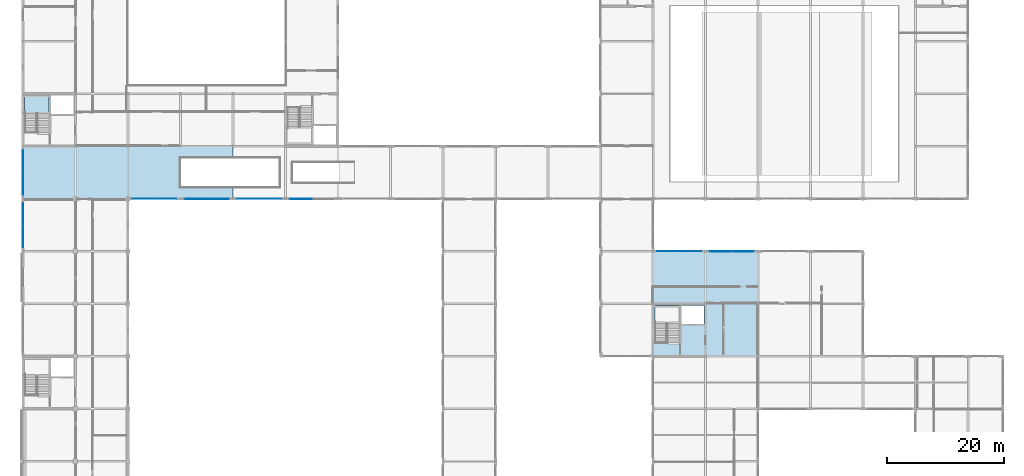
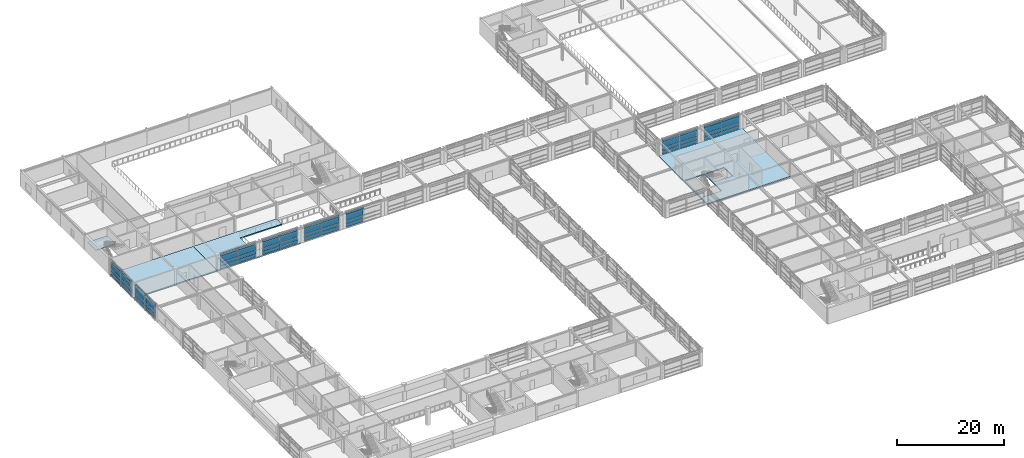
# One storey, part 54 of 79: 60 plates, 4 slabs, 8 elements without a shape of their own.
"""IFC4 building model written with IfcOpenShell, lengths in metres."""

from ifc_helpers import new_model, si_unit, direction, frame, origin, origin_2d, place, context, subcontext, project, spatial, polyline, rectangle, outline, extrude, material, layer, layer_set, type_object, element, aggregate, save


model = new_model("IFC4")

# Units and contexts
model_context = context("Model", 3, precision=1e-05, world=origin(), true_north=direction((0.0, 1.0)))
body_context = subcontext(model_context, "Body", "Model", "MODEL_VIEW")
ifc_project = project(units=[si_unit("LENGTHUNIT", "METRE"), si_unit("AREAUNIT", "SQUARE_METRE"), si_unit("VOLUMEUNIT", "CUBIC_METRE"), si_unit("PLANEANGLEUNIT", "RADIAN"), si_unit("MASSUNIT", "GRAM", prefix="KILO")], contexts=[model_context])

# Site, building, storey
site_placement = place(None, origin())
site = spatial("IfcSite", under=ifc_project, at=site_placement, CompositionType="ELEMENT")
building_placement = place(site_placement, origin())
building = spatial("IfcBuilding", under=site, at=building_placement, Name="Palais des Congres Ocreval", CompositionType="ELEMENT")
storey_placement = place(building_placement, frame((0.0, 0.0, 4.320068359375)))
storey = spatial("IfcBuildingStorey", under=building, at=storey_placement, Name="L01", CompositionType="ELEMENT", Elevation=4.320068359375)

# Curtain wall, plates
ifc_material_1 = material(Name="Anodized bronze aluminium and low-E glass", Category="glass")
curtain_wall_type = type_object("IfcCurtainWallType", Name="Unitised Curtain Wall 7900x3660", PredefinedType="USERDEFINED", material=ifc_material_1)
curtain_wall_1_placement = place(storey_placement, origin())
curtain_wall_1 = element("IfcCurtainWall", 1, at=curtain_wall_1_placement, inside=storey, type_object=curtain_wall_type, Name="Unitised Curtain Wall CW02 L01", ObjectType="UNITISED CURTAIN WALL", PredefinedType="USERDEFINED")
ifc_material_2 = material(Name="Acoustic triple glazing", Category="glass")
ifc_layer_1 = layer(ifc_material_2, 0.0439453125)
ifc_layer_set_1 = layer_set([ifc_layer_1], Name="Acoustic Laminated Glazing Panel 44 (Acoustic triple glazing)")
plate_type_1 = type_object("IfcPlateType", Name="Acoustic Laminated Glazing Panel 44", PredefinedType="CURTAIN_PANEL", material=ifc_layer_set_1)
plate_1_placement = place(storey_placement, frame((0.0, 74.59375, 0.06005859375), z_axis=(0.0, 0.0, 1.0), x_axis=(0.0, 1.0, 0.0)))
plate_1 = element("IfcPlate", 2, at=plate_1_placement, type_object=plate_type_1, Name="Vision Glazing Panel VP02", PredefinedType="CURTAIN_PANEL", context=body_context, shape_type="SweptSolid", body=[
    extrude(rectangle(XDim=3.737548828125, YDim=0.0439453125, at=origin_2d()), origin(), (0.0, 0.0, 1.0), 0.68994140625),
])
plate_2_placement = place(storey_placement, frame((0.0, 74.59375, 0.81005859375), z_axis=(0.0, 0.0, 1.0), x_axis=(0.0, 1.0, 0.0)))
plate_2 = element("IfcPlate", 3, at=plate_2_placement, type_object=plate_type_1, Name="Vision Glazing Panel VP02", PredefinedType="CURTAIN_PANEL", context=body_context, shape_type="SweptSolid", body=[
    extrude(rectangle(XDim=3.737548828125, YDim=0.0439453125, at=origin_2d()), origin(), (0.0, 0.0, 1.0), 0.777099609375),
])
plate_3_placement = place(storey_placement, frame((0.0, 74.59375, 1.64697265625), z_axis=(0.0, 0.0, 1.0), x_axis=(0.0, 1.0, 0.0)))
plate_3 = element("IfcPlate", 4, at=plate_3_placement, type_object=plate_type_1, Name="Vision Glazing Panel VP02", PredefinedType="CURTAIN_PANEL", context=body_context, shape_type="SweptSolid", body=[
    extrude(rectangle(XDim=3.737548828125, YDim=0.0439453125, at=origin_2d()), origin(), (0.0, 0.0, 1.0), 1.262939453125),
])
plate_4_placement = place(storey_placement, frame((0.0, 78.40625, 0.06005859375), z_axis=(0.0, 0.0, 1.0), x_axis=(0.0, 1.0, 0.0)))
plate_4 = element("IfcPlate", 5, at=plate_4_placement, type_object=plate_type_1, Name="Vision Glazing Panel VP02", PredefinedType="CURTAIN_PANEL", context=body_context, shape_type="SweptSolid", body=[
    extrude(rectangle(XDim=3.737548828125, YDim=0.0439453125, at=origin_2d()), origin(), (0.0, 0.0, 1.0), 0.68994140625),
])
plate_5_placement = place(storey_placement, frame((0.0, 78.40625, 0.81005859375), z_axis=(0.0, 0.0, 1.0), x_axis=(0.0, 1.0, 0.0)))
plate_5 = element("IfcPlate", 6, at=plate_5_placement, type_object=plate_type_1, Name="Vision Glazing Panel VP02", PredefinedType="CURTAIN_PANEL", context=body_context, shape_type="SweptSolid", body=[
    extrude(rectangle(XDim=3.737548828125, YDim=0.0439453125, at=origin_2d()), origin(), (0.0, 0.0, 1.0), 0.777099609375),
])
plate_6_placement = place(storey_placement, frame((0.0, 78.40625, 1.64697265625), z_axis=(0.0, 0.0, 1.0), x_axis=(0.0, 1.0, 0.0)))
plate_6 = element("IfcPlate", 7, at=plate_6_placement, type_object=plate_type_1, Name="Vision Glazing Panel VP02", PredefinedType="CURTAIN_PANEL", context=body_context, shape_type="SweptSolid", body=[
    extrude(rectangle(XDim=3.737548828125, YDim=0.0439453125, at=origin_2d()), origin(), (0.0, 0.0, 1.0), 1.262939453125),
])

curtain_wall_2_placement = place(storey_placement, origin())
curtain_wall_2 = element("IfcCurtainWall", 8, at=curtain_wall_2_placement, inside=storey, type_object=curtain_wall_type, Name="Unitised Curtain Wall CW02 L01", ObjectType="UNITISED CURTAIN WALL", PredefinedType="USERDEFINED")
plate_7_placement = place(storey_placement, frame((119.59375, 63.0, 0.06005859375), z_axis=(0.0, 0.0, 1.0), x_axis=(1.0, 0.0, 0.0)))
plate_7 = element("IfcPlate", 9, at=plate_7_placement, type_object=plate_type_1, Name="Vision Glazing Panel VP02", PredefinedType="CURTAIN_PANEL", context=body_context, shape_type="SweptSolid", body=[
    extrude(rectangle(XDim=3.737548828125, YDim=0.0439453125, at=origin_2d()), origin(), (0.0, 0.0, 1.0), 0.68994140625),
])
plate_8_placement = place(storey_placement, frame((119.59375, 63.0, 0.81005859375), z_axis=(0.0, 0.0, 1.0), x_axis=(1.0, 0.0, 0.0)))
plate_8 = element("IfcPlate", 10, at=plate_8_placement, type_object=plate_type_1, Name="Vision Glazing Panel VP02", PredefinedType="CURTAIN_PANEL", context=body_context, shape_type="SweptSolid", body=[
    extrude(rectangle(XDim=3.737548828125, YDim=0.0439453125, at=origin_2d()), origin(), (0.0, 0.0, 1.0), 0.777099609375),
])
plate_9_placement = place(storey_placement, frame((119.59375, 63.0, 1.64697265625), z_axis=(0.0, 0.0, 1.0), x_axis=(1.0, 0.0, 0.0)))
plate_9 = element("IfcPlate", 11, at=plate_9_placement, type_object=plate_type_1, Name="Vision Glazing Panel VP02", PredefinedType="CURTAIN_PANEL", context=body_context, shape_type="SweptSolid", body=[
    extrude(rectangle(XDim=3.737548828125, YDim=0.0439453125, at=origin_2d()), origin(), (0.0, 0.0, 1.0), 1.262939453125),
])
plate_10_placement = place(storey_placement, frame((123.40625, 63.0, 0.06005859375), z_axis=(0.0, 0.0, 1.0), x_axis=(1.0, 0.0, 0.0)))
plate_10 = element("IfcPlate", 12, at=plate_10_placement, type_object=plate_type_1, Name="Vision Glazing Panel VP02", PredefinedType="CURTAIN_PANEL", context=body_context, shape_type="SweptSolid", body=[
    extrude(rectangle(XDim=3.737548828125, YDim=0.0439453125, at=origin_2d()), origin(), (0.0, 0.0, 1.0), 0.68994140625),
])
plate_11_placement = place(storey_placement, frame((123.40625, 63.0, 0.81005859375), z_axis=(0.0, 0.0, 1.0), x_axis=(1.0, 0.0, 0.0)))
plate_11 = element("IfcPlate", 13, at=plate_11_placement, type_object=plate_type_1, Name="Vision Glazing Panel VP02", PredefinedType="CURTAIN_PANEL", context=body_context, shape_type="SweptSolid", body=[
    extrude(rectangle(XDim=3.737548828125, YDim=0.0439453125, at=origin_2d()), origin(), (0.0, 0.0, 1.0), 0.777099609375),
])
plate_12_placement = place(storey_placement, frame((123.40625, 63.0, 1.64697265625), z_axis=(0.0, 0.0, 1.0), x_axis=(1.0, 0.0, 0.0)))
plate_12 = element("IfcPlate", 14, at=plate_12_placement, type_object=plate_type_1, Name="Vision Glazing Panel VP02", PredefinedType="CURTAIN_PANEL", context=body_context, shape_type="SweptSolid", body=[
    extrude(rectangle(XDim=3.737548828125, YDim=0.0439453125, at=origin_2d()), origin(), (0.0, 0.0, 1.0), 1.262939453125),
])

curtain_wall_3_placement = place(storey_placement, origin())
curtain_wall_3 = element("IfcCurtainWall", 15, at=curtain_wall_3_placement, inside=storey, type_object=curtain_wall_type, Name="Unitised Curtain Wall CW02 L01", ObjectType="UNITISED CURTAIN WALL", PredefinedType="USERDEFINED")
plate_13_placement = place(storey_placement, frame((42.40625, 72.0, 0.06005859375), z_axis=(0.0, 0.0, 1.0), x_axis=(-1.0, 0.0, 0.0)))
plate_13 = element("IfcPlate", 16, at=plate_13_placement, type_object=plate_type_1, Name="Vision Glazing Panel VP02", PredefinedType="CURTAIN_PANEL", context=body_context, shape_type="SweptSolid", body=[
    extrude(rectangle(XDim=3.737548828125, YDim=0.0439453125, at=origin_2d()), origin(), (0.0, 0.0, 1.0), 0.68994140625),
])
plate_14_placement = place(storey_placement, frame((42.40625, 72.0, 0.81005859375), z_axis=(0.0, 0.0, 1.0), x_axis=(-1.0, 0.0, 0.0)))
plate_14 = element("IfcPlate", 17, at=plate_14_placement, type_object=plate_type_1, Name="Vision Glazing Panel VP02", PredefinedType="CURTAIN_PANEL", context=body_context, shape_type="SweptSolid", body=[
    extrude(rectangle(XDim=3.737548828125, YDim=0.0439453125, at=origin_2d()), origin(), (0.0, 0.0, 1.0), 0.777099609375),
])
plate_15_placement = place(storey_placement, frame((42.40625, 72.0, 1.64697265625), z_axis=(0.0, 0.0, 1.0), x_axis=(-1.0, 0.0, 0.0)))
plate_15 = element("IfcPlate", 18, at=plate_15_placement, type_object=plate_type_1, Name="Vision Glazing Panel VP02", PredefinedType="CURTAIN_PANEL", context=body_context, shape_type="SweptSolid", body=[
    extrude(rectangle(XDim=3.737548828125, YDim=0.0439453125, at=origin_2d()), origin(), (0.0, 0.0, 1.0), 1.262939453125),
])
plate_16_placement = place(storey_placement, frame((38.59375, 72.0, 0.06005859375), z_axis=(0.0, 0.0, 1.0), x_axis=(-1.0, 0.0, 0.0)))
plate_16 = element("IfcPlate", 19, at=plate_16_placement, type_object=plate_type_1, Name="Vision Glazing Panel VP02", PredefinedType="CURTAIN_PANEL", context=body_context, shape_type="SweptSolid", body=[
    extrude(rectangle(XDim=3.737548828125, YDim=0.0439453125, at=origin_2d()), origin(), (0.0, 0.0, 1.0), 0.68994140625),
])
plate_17_placement = place(storey_placement, frame((38.59375, 72.0, 0.81005859375), z_axis=(0.0, 0.0, 1.0), x_axis=(-1.0, 0.0, 0.0)))
plate_17 = element("IfcPlate", 20, at=plate_17_placement, type_object=plate_type_1, Name="Vision Glazing Panel VP02", PredefinedType="CURTAIN_PANEL", context=body_context, shape_type="SweptSolid", body=[
    extrude(rectangle(XDim=3.737548828125, YDim=0.0439453125, at=origin_2d()), origin(), (0.0, 0.0, 1.0), 0.777099609375),
])
plate_18_placement = place(storey_placement, frame((38.59375, 72.0, 1.64697265625), z_axis=(0.0, 0.0, 1.0), x_axis=(-1.0, 0.0, 0.0)))
plate_18 = element("IfcPlate", 21, at=plate_18_placement, type_object=plate_type_1, Name="Vision Glazing Panel VP02", PredefinedType="CURTAIN_PANEL", context=body_context, shape_type="SweptSolid", body=[
    extrude(rectangle(XDim=3.737548828125, YDim=0.0439453125, at=origin_2d()), origin(), (0.0, 0.0, 1.0), 1.262939453125),
])

# Plate
ifc_material_3 = material(Name="Anodized bronze aluminium", Category="aluminium")
ifc_layer_2 = layer(ifc_material_3, 0.06005859375)
ifc_layer_set_2 = layer_set([ifc_layer_2], Name="Anodized Bronze Spandrel Cassette 60 (Anodized bronze aluminium)")
plate_type_2 = type_object("IfcPlateType", Name="Anodized Bronze Spandrel Cassette 60", PredefinedType="SHEET", material=ifc_layer_set_2)
plate_19_placement = place(storey_placement, frame((0.0, 74.59375, 2.969970703125), z_axis=(0.0, 0.0, 1.0), x_axis=(0.0, 1.0, 0.0)))
plate_19 = element("IfcPlate", 22, at=plate_19_placement, type_object=plate_type_2, Name="Spandrel Sheet SPN1", PredefinedType="SHEET", context=body_context, shape_type="SweptSolid", body=[
    extrude(rectangle(XDim=3.737548828125, YDim=0.06005859375, at=origin_2d()), origin(), (0.0, 0.0, 1.0), 0.56005859375),
])

plate_20_placement = place(storey_placement, frame((0.0, 78.40625, 2.969970703125), z_axis=(0.0, 0.0, 1.0), x_axis=(0.0, 1.0, 0.0)))
plate_20 = element("IfcPlate", 23, at=plate_20_placement, type_object=plate_type_2, Name="Spandrel Sheet SPN1", PredefinedType="SHEET", context=body_context, shape_type="SweptSolid", body=[
    extrude(rectangle(XDim=3.737548828125, YDim=0.06005859375, at=origin_2d()), origin(), (0.0, 0.0, 1.0), 0.56005859375),
])

aggregate(curtain_wall_1, [plate_1, plate_2, plate_3, plate_19, plate_4, plate_5, plate_6, plate_20])

# Curtain wall, plates
curtain_wall_4_placement = place(storey_placement, origin())
curtain_wall_4 = element("IfcCurtainWall", 24, at=curtain_wall_4_placement, inside=storey, type_object=curtain_wall_type, Name="Unitised Curtain Wall CW02 L01", ObjectType="UNITISED CURTAIN WALL", PredefinedType="USERDEFINED")
plate_21_placement = place(storey_placement, frame((110.59375, 63.0, 2.969970703125), z_axis=(0.0, 0.0, 1.0), x_axis=(1.0, 0.0, 0.0)))
plate_21 = element("IfcPlate", 25, at=plate_21_placement, type_object=plate_type_2, Name="Spandrel Sheet SPN1", PredefinedType="SHEET", context=body_context, shape_type="SweptSolid", body=[
    extrude(rectangle(XDim=3.737548828125, YDim=0.06005859375, at=origin_2d()), origin(), (0.0, 0.0, 1.0), 0.56005859375),
])
plate_22_placement = place(storey_placement, frame((114.40625, 63.0, 2.969970703125), z_axis=(0.0, 0.0, 1.0), x_axis=(1.0, 0.0, 0.0)))
plate_22 = element("IfcPlate", 26, at=plate_22_placement, type_object=plate_type_2, Name="Spandrel Sheet SPN1", PredefinedType="SHEET", context=body_context, shape_type="SweptSolid", body=[
    extrude(rectangle(XDim=3.737548828125, YDim=0.06005859375, at=origin_2d()), origin(), (0.0, 0.0, 1.0), 0.56005859375),
])

# Plate
plate_23_placement = place(storey_placement, frame((42.40625, 72.0, 2.969970703125), z_axis=(0.0, 0.0, 1.0), x_axis=(-1.0, 0.0, 0.0)))
plate_23 = element("IfcPlate", 27, at=plate_23_placement, type_object=plate_type_2, Name="Spandrel Sheet SPN1", PredefinedType="SHEET", context=body_context, shape_type="SweptSolid", body=[
    extrude(rectangle(XDim=3.737548828125, YDim=0.06005859375, at=origin_2d()), origin(), (0.0, 0.0, 1.0), 0.56005859375),
])

plate_24_placement = place(storey_placement, frame((38.59375, 72.0, 2.969970703125), z_axis=(0.0, 0.0, 1.0), x_axis=(-1.0, 0.0, 0.0)))
plate_24 = element("IfcPlate", 28, at=plate_24_placement, type_object=plate_type_2, Name="Spandrel Sheet SPN1", PredefinedType="SHEET", context=body_context, shape_type="SweptSolid", body=[
    extrude(rectangle(XDim=3.737548828125, YDim=0.06005859375, at=origin_2d()), origin(), (0.0, 0.0, 1.0), 0.56005859375),
])

aggregate(curtain_wall_3, [plate_13, plate_14, plate_15, plate_23, plate_16, plate_17, plate_18, plate_24])

# Curtain wall, plates
curtain_wall_5_placement = place(storey_placement, origin())
curtain_wall_5 = element("IfcCurtainWall", 29, at=curtain_wall_5_placement, inside=storey, type_object=curtain_wall_type, Name="Unitised Curtain Wall CW02 L01", ObjectType="UNITISED CURTAIN WALL", PredefinedType="USERDEFINED")
plate_25_placement = place(storey_placement, frame((24.40625, 72.0, 2.969970703125), z_axis=(0.0, 0.0, 1.0), x_axis=(-1.0, 0.0, 0.0)))
plate_25 = element("IfcPlate", 30, at=plate_25_placement, type_object=plate_type_2, Name="Spandrel Sheet SPN1", PredefinedType="SHEET", context=body_context, shape_type="SweptSolid", body=[
    extrude(rectangle(XDim=3.737548828125, YDim=0.06005859375, at=origin_2d()), origin(), (0.0, 0.0, 1.0), 0.56005859375),
])
plate_26_placement = place(storey_placement, frame((20.59375, 72.0, 2.969970703125), z_axis=(0.0, 0.0, 1.0), x_axis=(-1.0, 0.0, 0.0)))
plate_26 = element("IfcPlate", 31, at=plate_26_placement, type_object=plate_type_2, Name="Spandrel Sheet SPN1", PredefinedType="SHEET", context=body_context, shape_type="SweptSolid", body=[
    extrude(rectangle(XDim=3.737548828125, YDim=0.06005859375, at=origin_2d()), origin(), (0.0, 0.0, 1.0), 0.56005859375),
])

# Slabs
ifc_material_4 = material(Name="Concrete C35/45", Category="concrete")
ifc_layer_3 = layer(ifc_material_4, 0.264892578125)
ifc_layer_set_3 = layer_set([ifc_layer_3], Name="Crossroads Gallery Composite Slab 265 Concrete C35/45")
slab_type_1 = type_object("IfcSlabType", Name="Crossroads Gallery Composite Slab 265 Concrete C35/45", PredefinedType="FLOOR", material=ifc_layer_set_3)
slab_1_placement = place(storey_placement, frame((0.0, 0.0, -0.26513671875)))
element("IfcSlab", 32, at=slab_1_placement, inside=storey, type_object=slab_type_1, Name="Floor Slab SL14 L01 V5-1", PredefinedType="FLOOR", context=body_context, shape_type="SweptSolid", body=[
    extrude(outline(polyline([(0.0, 81.0), (18.0, 81.0), (18.0, 72.0), (0.0, 72.0), (0.0, 81.0)])), origin(), (0.0, 0.0, 1.0), 0.26513671875),
])
slab_2_placement = place(storey_placement, frame((0.0, 0.0, -0.26513671875)))
element("IfcSlab", 33, at=slab_2_placement, inside=storey, type_object=slab_type_1, Name="Floor Slab SL14 L01 V5-2", PredefinedType="FLOOR", context=body_context, shape_type="SweptSolid", body=[
    extrude(outline(polyline([(36.0, 81.0), (36.0, 79.0), (27.0, 79.0), (27.0, 74.0), (36.0, 74.0), (36.0, 72.0), (18.0, 72.0), (18.0, 81.0), (36.0, 81.0)])), origin(), (0.0, 0.0, 1.0), 0.26513671875),
])
slab_3_placement = place(storey_placement, frame((0.0, 0.0, -0.26513671875)))
element("IfcSlab", 34, at=slab_3_placement, inside=storey, type_object=slab_type_1, Name="Floor Slab SL14 L01 V5-7", PredefinedType="FLOOR", context=body_context, shape_type="SweptSolid", body=[
    extrude(outline(polyline([(126.0, 63.0), (126.0, 45.0), (108.0, 45.0), (108.0, 63.0), (126.0, 63.0)]), holes=[polyline([(112.5, 53.699951171875), (108.300048828125, 53.699951171875), (108.300048828125, 47.35009765625), (112.5, 47.35009765625), (112.5, 53.699951171875)]), polyline([(112.800048828125, 53.699951171875), (112.800048828125, 50.550048828125), (116.699951171875, 50.550048828125), (116.699951171875, 53.699951171875), (112.800048828125, 53.699951171875)])]), origin(), (0.0, 0.0, 1.0), 0.26513671875),
])

# Curtain wall, plates
curtain_wall_6_placement = place(storey_placement, origin())
curtain_wall_6 = element("IfcCurtainWall", 35, at=curtain_wall_6_placement, inside=storey, type_object=curtain_wall_type, Name="Unitised Curtain Wall CW02 L01", ObjectType="UNITISED CURTAIN WALL", PredefinedType="USERDEFINED")
ifc_material_5 = material(Name="Low-E solar-control double glazing", Category="glass")
ifc_layer_4 = layer(ifc_material_5, 0.031982421875)
ifc_layer_set_4 = layer_set([ifc_layer_4], Name="Galleria Clear Vision Panel 32 (Low-E solar-control double glazing)")
plate_type_3 = type_object("IfcPlateType", Name="Galleria Clear Vision Panel 32", PredefinedType="CURTAIN_PANEL", material=ifc_layer_set_4)
plate_27_placement = place(storey_placement, frame((33.40625, 72.0, 0.06005859375), z_axis=(0.0, 0.0, 1.0), x_axis=(-1.0, 0.0, 0.0)))
plate_27 = element("IfcPlate", 36, at=plate_27_placement, type_object=plate_type_3, Name="Vision Glazing Panel VP03", PredefinedType="CURTAIN_PANEL", context=body_context, shape_type="SweptSolid", body=[
    extrude(rectangle(XDim=3.737548828125, YDim=0.031982421875, at=origin_2d()), origin(), (0.0, 0.0, 1.0), 0.68994140625),
])
plate_28_placement = place(storey_placement, frame((33.40625, 72.0, 0.81005859375), z_axis=(0.0, 0.0, 1.0), x_axis=(-1.0, 0.0, 0.0)))
plate_28 = element("IfcPlate", 37, at=plate_28_placement, type_object=plate_type_3, Name="Vision Glazing Panel VP03", PredefinedType="CURTAIN_PANEL", context=body_context, shape_type="SweptSolid", body=[
    extrude(rectangle(XDim=3.737548828125, YDim=0.031982421875, at=origin_2d()), origin(), (0.0, 0.0, 1.0), 0.777099609375),
])
plate_29_placement = place(storey_placement, frame((33.40625, 72.0, 1.64697265625), z_axis=(0.0, 0.0, 1.0), x_axis=(-1.0, 0.0, 0.0)))
plate_29 = element("IfcPlate", 38, at=plate_29_placement, type_object=plate_type_3, Name="Vision Glazing Panel VP03", PredefinedType="CURTAIN_PANEL", context=body_context, shape_type="SweptSolid", body=[
    extrude(rectangle(XDim=3.737548828125, YDim=0.031982421875, at=origin_2d()), origin(), (0.0, 0.0, 1.0), 1.262939453125),
])
plate_30_placement = place(storey_placement, frame((29.59375, 72.0, 0.06005859375), z_axis=(0.0, 0.0, 1.0), x_axis=(-1.0, 0.0, 0.0)))
plate_30 = element("IfcPlate", 39, at=plate_30_placement, type_object=plate_type_3, Name="Vision Glazing Panel VP03", PredefinedType="CURTAIN_PANEL", context=body_context, shape_type="SweptSolid", body=[
    extrude(rectangle(XDim=3.737548828125, YDim=0.031982421875, at=origin_2d()), origin(), (0.0, 0.0, 1.0), 0.68994140625),
])
plate_31_placement = place(storey_placement, frame((29.59375, 72.0, 0.81005859375), z_axis=(0.0, 0.0, 1.0), x_axis=(-1.0, 0.0, 0.0)))
plate_31 = element("IfcPlate", 40, at=plate_31_placement, type_object=plate_type_3, Name="Vision Glazing Panel VP03", PredefinedType="CURTAIN_PANEL", context=body_context, shape_type="SweptSolid", body=[
    extrude(rectangle(XDim=3.737548828125, YDim=0.031982421875, at=origin_2d()), origin(), (0.0, 0.0, 1.0), 0.777099609375),
])
plate_32_placement = place(storey_placement, frame((29.59375, 72.0, 1.64697265625), z_axis=(0.0, 0.0, 1.0), x_axis=(-1.0, 0.0, 0.0)))
plate_32 = element("IfcPlate", 41, at=plate_32_placement, type_object=plate_type_3, Name="Vision Glazing Panel VP03", PredefinedType="CURTAIN_PANEL", context=body_context, shape_type="SweptSolid", body=[
    extrude(rectangle(XDim=3.737548828125, YDim=0.031982421875, at=origin_2d()), origin(), (0.0, 0.0, 1.0), 1.262939453125),
])

curtain_wall_7_placement = place(storey_placement, origin())
curtain_wall_7 = element("IfcCurtainWall", 42, at=curtain_wall_7_placement, inside=storey, type_object=curtain_wall_type, Name="Unitised Curtain Wall CW02 L01", ObjectType="UNITISED CURTAIN WALL", PredefinedType="USERDEFINED")
ifc_layer_5 = layer(ifc_material_5, 0.035888671875)
ifc_layer_set_5 = layer_set([ifc_layer_5], Name="Low-E Vision Glazing Panel 36 (Low-E solar-control double glazing)")
plate_type_4 = type_object("IfcPlateType", Name="Low-E Vision Glazing Panel 36", PredefinedType="CURTAIN_PANEL", material=ifc_layer_set_5)
plate_33_placement = place(storey_placement, frame((0.0, 65.59375, 0.06005859375), z_axis=(0.0, 0.0, 1.0), x_axis=(0.0, 1.0, 0.0)))
plate_33 = element("IfcPlate", 43, at=plate_33_placement, type_object=plate_type_4, Name="Vision Glazing Panel VP01", PredefinedType="CURTAIN_PANEL", context=body_context, shape_type="SweptSolid", body=[
    extrude(rectangle(XDim=3.737548828125, YDim=0.035888671875, at=origin_2d()), origin(), (0.0, 0.0, 1.0), 0.68994140625),
])
plate_34_placement = place(storey_placement, frame((0.0, 65.59375, 0.81005859375), z_axis=(0.0, 0.0, 1.0), x_axis=(0.0, 1.0, 0.0)))
plate_34 = element("IfcPlate", 44, at=plate_34_placement, type_object=plate_type_4, Name="Vision Glazing Panel VP01", PredefinedType="CURTAIN_PANEL", context=body_context, shape_type="SweptSolid", body=[
    extrude(rectangle(XDim=3.737548828125, YDim=0.035888671875, at=origin_2d()), origin(), (0.0, 0.0, 1.0), 0.782470703125),
])
plate_35_placement = place(storey_placement, frame((0.0, 65.59375, 1.65234375), z_axis=(0.0, 0.0, 1.0), x_axis=(0.0, 1.0, 0.0)))
plate_35 = element("IfcPlate", 45, at=plate_35_placement, type_object=plate_type_4, Name="Vision Glazing Panel VP01", PredefinedType="CURTAIN_PANEL", context=body_context, shape_type="SweptSolid", body=[
    extrude(rectangle(XDim=3.737548828125, YDim=0.035888671875, at=origin_2d()), origin(), (0.0, 0.0, 1.0), 1.267578125),
])
plate_36_placement = place(storey_placement, frame((0.0, 69.40625, 0.06005859375), z_axis=(0.0, 0.0, 1.0), x_axis=(0.0, 1.0, 0.0)))
plate_36 = element("IfcPlate", 46, at=plate_36_placement, type_object=plate_type_4, Name="Vision Glazing Panel VP01", PredefinedType="CURTAIN_PANEL", context=body_context, shape_type="SweptSolid", body=[
    extrude(rectangle(XDim=3.737548828125, YDim=0.035888671875, at=origin_2d()), origin(), (0.0, 0.0, 1.0), 0.68994140625),
])
plate_37_placement = place(storey_placement, frame((0.0, 69.40625, 0.81005859375), z_axis=(0.0, 0.0, 1.0), x_axis=(0.0, 1.0, 0.0)))
plate_37 = element("IfcPlate", 47, at=plate_37_placement, type_object=plate_type_4, Name="Vision Glazing Panel VP01", PredefinedType="CURTAIN_PANEL", context=body_context, shape_type="SweptSolid", body=[
    extrude(rectangle(XDim=3.737548828125, YDim=0.035888671875, at=origin_2d()), origin(), (0.0, 0.0, 1.0), 0.782470703125),
])
plate_38_placement = place(storey_placement, frame((0.0, 69.40625, 1.65234375), z_axis=(0.0, 0.0, 1.0), x_axis=(0.0, 1.0, 0.0)))
plate_38 = element("IfcPlate", 48, at=plate_38_placement, type_object=plate_type_4, Name="Vision Glazing Panel VP01", PredefinedType="CURTAIN_PANEL", context=body_context, shape_type="SweptSolid", body=[
    extrude(rectangle(XDim=3.737548828125, YDim=0.035888671875, at=origin_2d()), origin(), (0.0, 0.0, 1.0), 1.267578125),
])

# Plate
plate_39_placement = place(storey_placement, frame((110.59375, 63.0, 0.06005859375), z_axis=(0.0, 0.0, 1.0), x_axis=(1.0, 0.0, 0.0)))
plate_39 = element("IfcPlate", 49, at=plate_39_placement, type_object=plate_type_4, Name="Vision Glazing Panel VP01", PredefinedType="CURTAIN_PANEL", context=body_context, shape_type="SweptSolid", body=[
    extrude(rectangle(XDim=3.737548828125, YDim=0.035888671875, at=origin_2d()), origin(), (0.0, 0.0, 1.0), 0.68994140625),
])

plate_40_placement = place(storey_placement, frame((110.59375, 63.0, 0.81005859375), z_axis=(0.0, 0.0, 1.0), x_axis=(1.0, 0.0, 0.0)))
plate_40 = element("IfcPlate", 50, at=plate_40_placement, type_object=plate_type_4, Name="Vision Glazing Panel VP01", PredefinedType="CURTAIN_PANEL", context=body_context, shape_type="SweptSolid", body=[
    extrude(rectangle(XDim=3.737548828125, YDim=0.035888671875, at=origin_2d()), origin(), (0.0, 0.0, 1.0), 0.777099609375),
])

plate_41_placement = place(storey_placement, frame((110.59375, 63.0, 1.64697265625), z_axis=(0.0, 0.0, 1.0), x_axis=(1.0, 0.0, 0.0)))
plate_41 = element("IfcPlate", 51, at=plate_41_placement, type_object=plate_type_4, Name="Vision Glazing Panel VP01", PredefinedType="CURTAIN_PANEL", context=body_context, shape_type="SweptSolid", body=[
    extrude(rectangle(XDim=3.737548828125, YDim=0.035888671875, at=origin_2d()), origin(), (0.0, 0.0, 1.0), 1.262939453125),
])

plate_42_placement = place(storey_placement, frame((114.40625, 63.0, 0.06005859375), z_axis=(0.0, 0.0, 1.0), x_axis=(1.0, 0.0, 0.0)))
plate_42 = element("IfcPlate", 52, at=plate_42_placement, type_object=plate_type_4, Name="Vision Glazing Panel VP01", PredefinedType="CURTAIN_PANEL", context=body_context, shape_type="SweptSolid", body=[
    extrude(rectangle(XDim=3.737548828125, YDim=0.035888671875, at=origin_2d()), origin(), (0.0, 0.0, 1.0), 0.68994140625),
])

plate_43_placement = place(storey_placement, frame((114.40625, 63.0, 0.81005859375), z_axis=(0.0, 0.0, 1.0), x_axis=(1.0, 0.0, 0.0)))
plate_43 = element("IfcPlate", 53, at=plate_43_placement, type_object=plate_type_4, Name="Vision Glazing Panel VP01", PredefinedType="CURTAIN_PANEL", context=body_context, shape_type="SweptSolid", body=[
    extrude(rectangle(XDim=3.737548828125, YDim=0.035888671875, at=origin_2d()), origin(), (0.0, 0.0, 1.0), 0.777099609375),
])

plate_44_placement = place(storey_placement, frame((114.40625, 63.0, 1.64697265625), z_axis=(0.0, 0.0, 1.0), x_axis=(1.0, 0.0, 0.0)))
plate_44 = element("IfcPlate", 54, at=plate_44_placement, type_object=plate_type_4, Name="Vision Glazing Panel VP01", PredefinedType="CURTAIN_PANEL", context=body_context, shape_type="SweptSolid", body=[
    extrude(rectangle(XDim=3.737548828125, YDim=0.035888671875, at=origin_2d()), origin(), (0.0, 0.0, 1.0), 1.262939453125),
])

aggregate(curtain_wall_4, [plate_39, plate_40, plate_41, plate_21, plate_42, plate_43, plate_44, plate_22])

# Curtain wall, plates
curtain_wall_8_placement = place(storey_placement, origin())
curtain_wall_8 = element("IfcCurtainWall", 55, at=curtain_wall_8_placement, inside=storey, type_object=curtain_wall_type, Name="Unitised Curtain Wall CW02 L01", ObjectType="UNITISED CURTAIN WALL", PredefinedType="USERDEFINED")
plate_45_placement = place(storey_placement, frame((47.59375, 72.0, 0.06005859375), z_axis=(0.0, 0.0, 1.0), x_axis=(-1.0, 0.0, 0.0)))
plate_45 = element("IfcPlate", 56, at=plate_45_placement, type_object=plate_type_4, Name="Vision Glazing Panel VP01", PredefinedType="CURTAIN_PANEL", context=body_context, shape_type="SweptSolid", body=[
    extrude(rectangle(XDim=3.737548828125, YDim=0.035888671875, at=origin_2d()), origin(), (0.0, 0.0, 1.0), 0.68994140625),
])
plate_46_placement = place(storey_placement, frame((47.59375, 72.0, 0.81005859375), z_axis=(0.0, 0.0, 1.0), x_axis=(-1.0, 0.0, 0.0)))
plate_46 = element("IfcPlate", 57, at=plate_46_placement, type_object=plate_type_4, Name="Vision Glazing Panel VP01", PredefinedType="CURTAIN_PANEL", context=body_context, shape_type="SweptSolid", body=[
    extrude(rectangle(XDim=3.737548828125, YDim=0.035888671875, at=origin_2d()), origin(), (0.0, 0.0, 1.0), 0.777099609375),
])
plate_47_placement = place(storey_placement, frame((47.59375, 72.0, 1.64697265625), z_axis=(0.0, 0.0, 1.0), x_axis=(-1.0, 0.0, 0.0)))
plate_47 = element("IfcPlate", 58, at=plate_47_placement, type_object=plate_type_4, Name="Vision Glazing Panel VP01", PredefinedType="CURTAIN_PANEL", context=body_context, shape_type="SweptSolid", body=[
    extrude(rectangle(XDim=3.737548828125, YDim=0.035888671875, at=origin_2d()), origin(), (0.0, 0.0, 1.0), 1.262939453125),
])

# Plate
plate_48_placement = place(storey_placement, frame((24.40625, 72.0, 0.06005859375), z_axis=(0.0, 0.0, 1.0), x_axis=(-1.0, 0.0, 0.0)))
plate_48 = element("IfcPlate", 59, at=plate_48_placement, type_object=plate_type_4, Name="Vision Glazing Panel VP01", PredefinedType="CURTAIN_PANEL", context=body_context, shape_type="SweptSolid", body=[
    extrude(rectangle(XDim=3.737548828125, YDim=0.035888671875, at=origin_2d()), origin(), (0.0, 0.0, 1.0), 0.68994140625),
])

plate_49_placement = place(storey_placement, frame((24.40625, 72.0, 0.81005859375), z_axis=(0.0, 0.0, 1.0), x_axis=(-1.0, 0.0, 0.0)))
plate_49 = element("IfcPlate", 60, at=plate_49_placement, type_object=plate_type_4, Name="Vision Glazing Panel VP01", PredefinedType="CURTAIN_PANEL", context=body_context, shape_type="SweptSolid", body=[
    extrude(rectangle(XDim=3.737548828125, YDim=0.035888671875, at=origin_2d()), origin(), (0.0, 0.0, 1.0), 0.777099609375),
])

plate_50_placement = place(storey_placement, frame((24.40625, 72.0, 1.64697265625), z_axis=(0.0, 0.0, 1.0), x_axis=(-1.0, 0.0, 0.0)))
plate_50 = element("IfcPlate", 61, at=plate_50_placement, type_object=plate_type_4, Name="Vision Glazing Panel VP01", PredefinedType="CURTAIN_PANEL", context=body_context, shape_type="SweptSolid", body=[
    extrude(rectangle(XDim=3.737548828125, YDim=0.035888671875, at=origin_2d()), origin(), (0.0, 0.0, 1.0), 1.262939453125),
])

plate_51_placement = place(storey_placement, frame((20.59375, 72.0, 0.06005859375), z_axis=(0.0, 0.0, 1.0), x_axis=(-1.0, 0.0, 0.0)))
plate_51 = element("IfcPlate", 62, at=plate_51_placement, type_object=plate_type_4, Name="Vision Glazing Panel VP01", PredefinedType="CURTAIN_PANEL", context=body_context, shape_type="SweptSolid", body=[
    extrude(rectangle(XDim=3.737548828125, YDim=0.035888671875, at=origin_2d()), origin(), (0.0, 0.0, 1.0), 0.68994140625),
])

plate_52_placement = place(storey_placement, frame((20.59375, 72.0, 0.81005859375), z_axis=(0.0, 0.0, 1.0), x_axis=(-1.0, 0.0, 0.0)))
plate_52 = element("IfcPlate", 63, at=plate_52_placement, type_object=plate_type_4, Name="Vision Glazing Panel VP01", PredefinedType="CURTAIN_PANEL", context=body_context, shape_type="SweptSolid", body=[
    extrude(rectangle(XDim=3.737548828125, YDim=0.035888671875, at=origin_2d()), origin(), (0.0, 0.0, 1.0), 0.777099609375),
])

plate_53_placement = place(storey_placement, frame((20.59375, 72.0, 1.64697265625), z_axis=(0.0, 0.0, 1.0), x_axis=(-1.0, 0.0, 0.0)))
plate_53 = element("IfcPlate", 64, at=plate_53_placement, type_object=plate_type_4, Name="Vision Glazing Panel VP01", PredefinedType="CURTAIN_PANEL", context=body_context, shape_type="SweptSolid", body=[
    extrude(rectangle(XDim=3.737548828125, YDim=0.035888671875, at=origin_2d()), origin(), (0.0, 0.0, 1.0), 1.262939453125),
])

aggregate(curtain_wall_5, [plate_48, plate_49, plate_50, plate_25, plate_51, plate_52, plate_53, plate_26])

# Slab
ifc_material_6 = material(Name="Concrete C40/50", Category="concrete")
ifc_layer_6 = layer(ifc_material_6, 0.199951171875)
ifc_layer_set_6 = layer_set([ifc_layer_6], Name="Stair and Ramp Landing Slab 200 Concrete C40/50")
slab_type_2 = type_object("IfcSlabType", Name="Stair and Ramp Landing Slab 200 Concrete C40/50", PredefinedType="LANDING", material=ifc_layer_set_6)
slab_4_placement = place(storey_placement, frame((0.0, 0.0, 1.719970703125)))
element("IfcSlab", 65, at=slab_4_placement, inside=storey, type_object=slab_type_2, Name="Stair Half-Landing ST05 L01", PredefinedType="LANDING", context=body_context, shape_type="SweptSolid", body=[
    extrude(outline(polyline([(0.300048828125, 86.64990234375), (4.5, 86.64990234375), (4.5, 89.699951171875), (0.300048828125, 89.699951171875), (0.300048828125, 86.64990234375)])), origin(), (0.0, 0.0, 1.0), 0.199951171875),
])

# Plate
ifc_material_7 = material(Name="Terracotta ceramic spandrel", Category="masonry")
ifc_layer_7 = layer(ifc_material_7, 0.080078125)
ifc_layer_set_7 = layer_set([ifc_layer_7], Name="Terracotta Insulated Spandrel Sheet 80 (Terracotta ceramic spandrel)")
plate_type_5 = type_object("IfcPlateType", Name="Terracotta Insulated Spandrel Sheet 80", PredefinedType="SHEET", material=ifc_layer_set_7)
plate_54_placement = place(storey_placement, frame((0.0, 65.59375, 2.97998046875), z_axis=(0.0, 0.0, 1.0), x_axis=(0.0, 1.0, 0.0)))
plate_54 = element("IfcPlate", 66, at=plate_54_placement, type_object=plate_type_5, Name="Spandrel Sheet SPN2", PredefinedType="SHEET", context=body_context, shape_type="SweptSolid", body=[
    extrude(rectangle(XDim=3.737548828125, YDim=0.080078125, at=origin_2d()), origin(), (0.0, 0.0, 1.0), 0.56005859375),
])

plate_55_placement = place(storey_placement, frame((0.0, 69.40625, 2.97998046875), z_axis=(0.0, 0.0, 1.0), x_axis=(0.0, 1.0, 0.0)))
plate_55 = element("IfcPlate", 67, at=plate_55_placement, type_object=plate_type_5, Name="Spandrel Sheet SPN2", PredefinedType="SHEET", context=body_context, shape_type="SweptSolid", body=[
    extrude(rectangle(XDim=3.737548828125, YDim=0.080078125, at=origin_2d()), origin(), (0.0, 0.0, 1.0), 0.56005859375),
])

aggregate(curtain_wall_7, [plate_33, plate_34, plate_35, plate_54, plate_36, plate_37, plate_38, plate_55])

plate_56_placement = place(storey_placement, frame((119.59375, 63.0, 2.969970703125), z_axis=(0.0, 0.0, 1.0), x_axis=(1.0, 0.0, 0.0)))
plate_56 = element("IfcPlate", 68, at=plate_56_placement, type_object=plate_type_5, Name="Spandrel Sheet SPN2", PredefinedType="SHEET", context=body_context, shape_type="SweptSolid", body=[
    extrude(rectangle(XDim=3.737548828125, YDim=0.080078125, at=origin_2d()), origin(), (0.0, 0.0, 1.0), 0.56005859375),
])

plate_57_placement = place(storey_placement, frame((123.40625, 63.0, 2.969970703125), z_axis=(0.0, 0.0, 1.0), x_axis=(1.0, 0.0, 0.0)))
plate_57 = element("IfcPlate", 69, at=plate_57_placement, type_object=plate_type_5, Name="Spandrel Sheet SPN2", PredefinedType="SHEET", context=body_context, shape_type="SweptSolid", body=[
    extrude(rectangle(XDim=3.737548828125, YDim=0.080078125, at=origin_2d()), origin(), (0.0, 0.0, 1.0), 0.56005859375),
])

aggregate(curtain_wall_2, [plate_7, plate_8, plate_9, plate_56, plate_10, plate_11, plate_12, plate_57])

plate_58_placement = place(storey_placement, frame((47.59375, 72.0, 2.969970703125), z_axis=(0.0, 0.0, 1.0), x_axis=(-1.0, 0.0, 0.0)))
plate_58 = element("IfcPlate", 70, at=plate_58_placement, type_object=plate_type_5, Name="Spandrel Sheet SPN2", PredefinedType="SHEET", context=body_context, shape_type="SweptSolid", body=[
    extrude(rectangle(XDim=3.737548828125, YDim=0.080078125, at=origin_2d()), origin(), (0.0, 0.0, 1.0), 0.56005859375),
])

aggregate(curtain_wall_8, [plate_45, plate_46, plate_47, plate_58])

plate_59_placement = place(storey_placement, frame((33.40625, 72.0, 2.969970703125), z_axis=(0.0, 0.0, 1.0), x_axis=(-1.0, 0.0, 0.0)))
plate_59 = element("IfcPlate", 71, at=plate_59_placement, type_object=plate_type_5, Name="Spandrel Sheet SPN2", PredefinedType="SHEET", context=body_context, shape_type="SweptSolid", body=[
    extrude(rectangle(XDim=3.737548828125, YDim=0.080078125, at=origin_2d()), origin(), (0.0, 0.0, 1.0), 0.56005859375),
])

plate_60_placement = place(storey_placement, frame((29.59375, 72.0, 2.969970703125), z_axis=(0.0, 0.0, 1.0), x_axis=(-1.0, 0.0, 0.0)))
plate_60 = element("IfcPlate", 72, at=plate_60_placement, type_object=plate_type_5, Name="Spandrel Sheet SPN2", PredefinedType="SHEET", context=body_context, shape_type="SweptSolid", body=[
    extrude(rectangle(XDim=3.737548828125, YDim=0.080078125, at=origin_2d()), origin(), (0.0, 0.0, 1.0), 0.56005859375),
])

aggregate(curtain_wall_6, [plate_27, plate_28, plate_29, plate_59, plate_30, plate_31, plate_32, plate_60])

save(model, "model.ifc")
